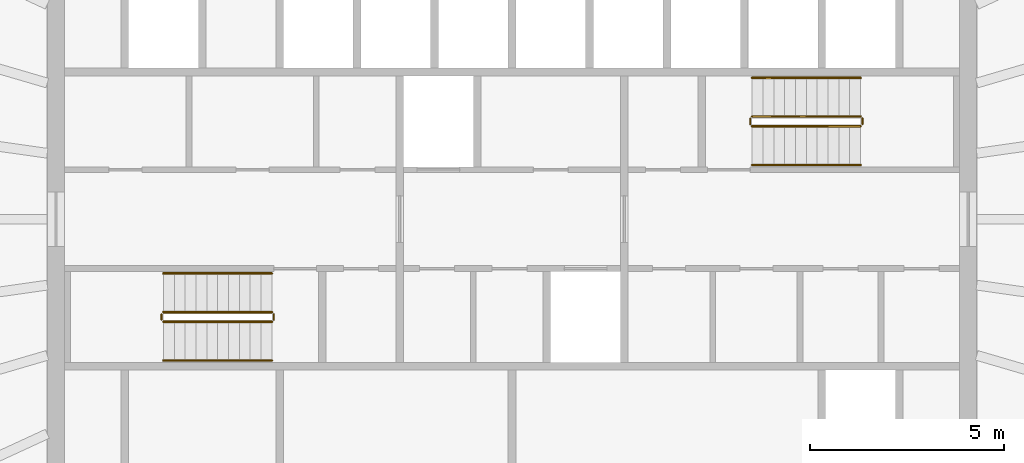
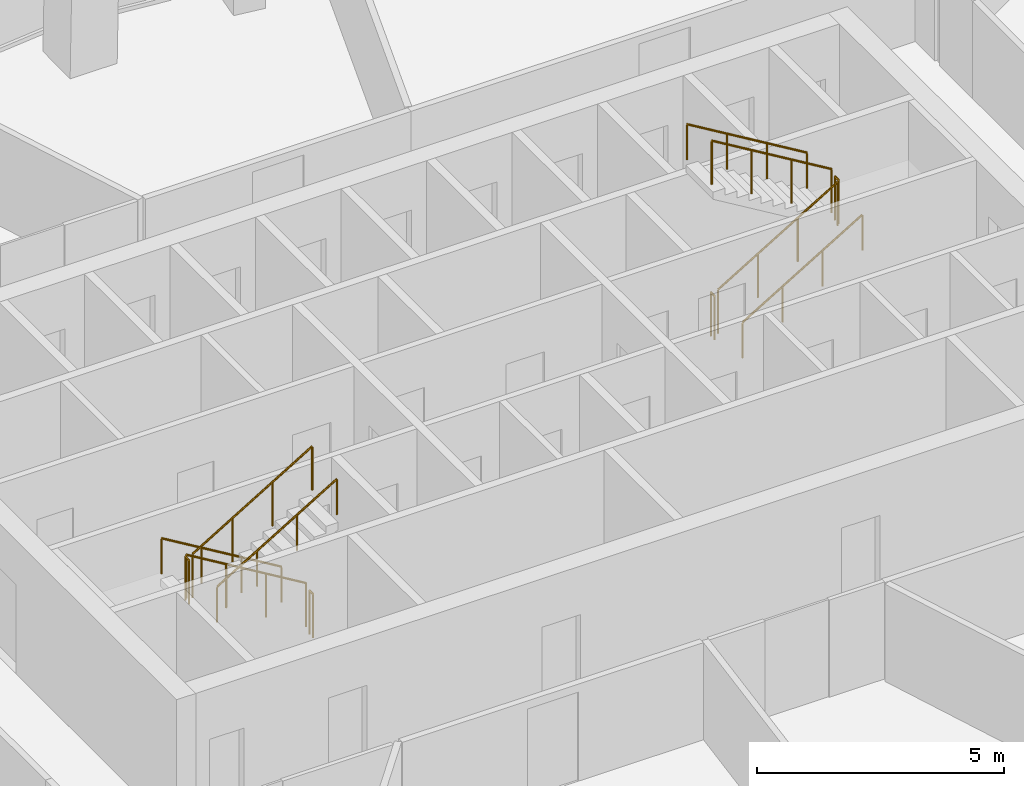
# One storey, part 11 of 11: 12 railings.
"""IFC4 building model written with IfcOpenShell, lengths in metres."""

from ifc_helpers import new_model, si_unit, direction, frame, origin, origin_2d, place, context, subcontext, project, spatial, circle, extrude, material, type_object, element, save


model = new_model("IFC4")

# Units and contexts
model_context = context("Model", 3, precision=1e-05, world=origin(), true_north=direction((0.0, 1.0)))
body_context = subcontext(model_context, "Body", "Model", "MODEL_VIEW")
ifc_project = project(units=[si_unit("LENGTHUNIT", "METRE"), si_unit("AREAUNIT", "SQUARE_METRE"), si_unit("VOLUMEUNIT", "CUBIC_METRE"), si_unit("PLANEANGLEUNIT", "RADIAN"), si_unit("MASSUNIT", "GRAM", prefix="KILO")], contexts=[model_context])

# Site, building, storey
site_placement = place(None, origin())
site = spatial("IfcSite", under=ifc_project, at=site_placement, CompositionType="ELEMENT")
building_placement = place(site_placement, origin())
building = spatial("IfcBuilding", under=site, at=building_placement, Name="Siaravel Broadcast Tower", CompositionType="ELEMENT")
storey_placement = place(building_placement, frame((0.0, 0.0, 197.800048828125)))
storey = spatial("IfcBuildingStorey", under=building, at=storey_placement, Name="L48", CompositionType="ELEMENT", Elevation=197.800048828125)

# Railings
ifc_material = material(Name="Stainless steel 316L", Category="steel")
railing_type_1 = type_object("IfcRailingType", Name="Stair guard 1100", PredefinedType="GUARDRAIL", material=ifc_material)
railing_1_placement = place(storey_placement, frame((-6.199951171875, -2.39990234375, 0.168212890625)))
element("IfcRailing", 1, at=railing_1_placement, inside=storey, type_object=railing_type_1, Name="L48 ST-1 stair guard 1", PredefinedType="GUARDRAIL", context=body_context, shape_type="SweptSolid", body=[
    extrude(circle(Radius=0.02392578125, at=origin_2d()), frame((0.0, 0.0, 1.076171875), z_axis=(-0.857275203, 0.0, 0.514858453), x_axis=(0.0, -1.0, 0.0)), (0.0, 0.0, 1.0), 3.26611328125),
    extrude(circle(Radius=0.02099609375, at=origin_2d()), origin(), (0.0, 0.0, 1.0), 1.052001953125),
    extrude(circle(Radius=0.02099609375, at=origin_2d()), frame((-0.933349609375, 0.0, 0.560546875)), (0.0, 0.0, 1.0), 1.052001953125),
    extrude(circle(Radius=0.02099609375, at=origin_2d()), frame((-1.86669921875, 0.0, 1.12109375)), (0.0, 0.0, 1.0), 1.052001953125),
    extrude(circle(Radius=0.02099609375, at=origin_2d()), frame((-2.800048828125, 0.0, 1.681640625)), (0.0, 0.0, 1.0), 1.052001953125),
])
railing_2_placement = place(storey_placement, frame((-9.050048828125, -2.449951171875, 1.849853515625)))
element("IfcRailing", 2, at=railing_2_placement, inside=storey, type_object=railing_type_1, Name="L48 ST-1 stair guard 2", PredefinedType="GUARDRAIL", context=body_context, shape_type="SweptSolid", body=[
    extrude(circle(Radius=0.02392578125, at=origin_2d()), frame((0.0, 0.0, 1.076171875), z_axis=(0.0, -1.0, 0.0), x_axis=(1.0, 0.0, 0.0)), (0.0, 0.0, 1.0), 0.150146484375),
    extrude(circle(Radius=0.02099609375, at=origin_2d()), origin(), (0.0, 0.0, 1.0), 1.052001953125),
    extrude(circle(Radius=0.02099609375, at=origin_2d()), frame((0.0, -0.150146484375, 0.0)), (0.0, 0.0, 1.0), 1.052001953125),
])
railing_3_placement = place(storey_placement, frame((-9.0, -2.64990234375, 2.01806640625)))
element("IfcRailing", 3, at=railing_3_placement, inside=storey, type_object=railing_type_1, Name="L48 ST-1 stair guard 3", PredefinedType="GUARDRAIL", context=body_context, shape_type="SweptSolid", body=[
    extrude(circle(Radius=0.02392578125, at=origin_2d()), frame((0.0, 0.0, 1.076171875), z_axis=(0.857242211, 0.0, 0.514913383), x_axis=(0.0, 1.0, 0.0)), (0.0, 0.0, 1.0), 3.266357421875),
    extrude(circle(Radius=0.02099609375, at=origin_2d()), origin(), (0.0, 0.0, 1.0), 1.052001953125),
    extrude(circle(Radius=0.02099609375, at=origin_2d()), frame((0.933349609375, 0.0, 0.560546875)), (0.0, 0.0, 1.0), 1.052001953125),
    extrude(circle(Radius=0.02099609375, at=origin_2d()), frame((1.86669921875, 0.0, 1.121337890625)), (0.0, 0.0, 1.0), 1.052001953125),
    extrude(circle(Radius=0.02099609375, at=origin_2d()), frame((2.800048828125, 0.0, 1.681884765625)), (0.0, 0.0, 1.0), 1.052001953125),
])
railing_4_placement = place(storey_placement, frame((-6.14990234375, -2.449951171875, 0.0)))
element("IfcRailing", 4, at=railing_4_placement, inside=storey, type_object=railing_type_1, Name="L48 ST-1 stair guard 4", PredefinedType="GUARDRAIL", context=body_context, shape_type="SweptSolid", body=[
    extrude(circle(Radius=0.02392578125, at=origin_2d()), frame((0.0, 0.0, 1.076171875), z_axis=(0.0, -1.0, 0.0), x_axis=(1.0, 0.0, 0.0)), (0.0, 0.0, 1.0), 0.150146484375),
    extrude(circle(Radius=0.02099609375, at=origin_2d()), origin(), (0.0, 0.0, 1.0), 1.052001953125),
    extrude(circle(Radius=0.02099609375, at=origin_2d()), frame((0.0, -0.150146484375, 0.0)), (0.0, 0.0, 1.0), 1.052001953125),
])
railing_5_placement = place(storey_placement, frame((6.199951171875, 2.39990234375, 0.168212890625)))
element("IfcRailing", 5, at=railing_5_placement, inside=storey, type_object=railing_type_1, Name="L48 ST-2 stair guard 1", PredefinedType="GUARDRAIL", context=body_context, shape_type="SweptSolid", body=[
    extrude(circle(Radius=0.02392578125, at=origin_2d()), frame((0.0, 0.0, 1.076171875), z_axis=(0.857275203, 0.0, 0.514858453), x_axis=(0.0, 1.0, 0.0)), (0.0, 0.0, 1.0), 3.26611328125),
    extrude(circle(Radius=0.02099609375, at=origin_2d()), origin(), (0.0, 0.0, 1.0), 1.052001953125),
    extrude(circle(Radius=0.02099609375, at=origin_2d()), frame((0.933349609375, 0.0, 0.560546875)), (0.0, 0.0, 1.0), 1.052001953125),
    extrude(circle(Radius=0.02099609375, at=origin_2d()), frame((1.86669921875, 0.0, 1.12109375)), (0.0, 0.0, 1.0), 1.052001953125),
    extrude(circle(Radius=0.02099609375, at=origin_2d()), frame((2.800048828125, 0.0, 1.681640625)), (0.0, 0.0, 1.0), 1.052001953125),
])
railing_6_placement = place(storey_placement, frame((9.050048828125, 2.449951171875, 1.849853515625)))
element("IfcRailing", 6, at=railing_6_placement, inside=storey, type_object=railing_type_1, Name="L48 ST-2 stair guard 2", PredefinedType="GUARDRAIL", context=body_context, shape_type="SweptSolid", body=[
    extrude(circle(Radius=0.02392578125, at=origin_2d()), frame((0.0, 0.0, 1.076171875), z_axis=(0.0, 1.0, 0.0), x_axis=(-1.0, 0.0, 0.0)), (0.0, 0.0, 1.0), 0.150146484375),
    extrude(circle(Radius=0.02099609375, at=origin_2d()), origin(), (0.0, 0.0, 1.0), 1.052001953125),
    extrude(circle(Radius=0.02099609375, at=origin_2d()), frame((0.0, 0.150146484375, 0.0)), (0.0, 0.0, 1.0), 1.052001953125),
])
railing_7_placement = place(storey_placement, frame((9.0, 2.64990234375, 2.01806640625)))
element("IfcRailing", 7, at=railing_7_placement, inside=storey, type_object=railing_type_1, Name="L48 ST-2 stair guard 3", PredefinedType="GUARDRAIL", context=body_context, shape_type="SweptSolid", body=[
    extrude(circle(Radius=0.02392578125, at=origin_2d()), frame((0.0, 0.0, 1.076171875), z_axis=(-0.857242211, 0.0, 0.514913383), x_axis=(0.0, -1.0, 0.0)), (0.0, 0.0, 1.0), 3.266357421875),
    extrude(circle(Radius=0.02099609375, at=origin_2d()), origin(), (0.0, 0.0, 1.0), 1.052001953125),
    extrude(circle(Radius=0.02099609375, at=origin_2d()), frame((-0.933349609375, 0.0, 0.560546875)), (0.0, 0.0, 1.0), 1.052001953125),
    extrude(circle(Radius=0.02099609375, at=origin_2d()), frame((-1.86669921875, 0.0, 1.121337890625)), (0.0, 0.0, 1.0), 1.052001953125),
    extrude(circle(Radius=0.02099609375, at=origin_2d()), frame((-2.800048828125, 0.0, 1.681884765625)), (0.0, 0.0, 1.0), 1.052001953125),
])
railing_8_placement = place(storey_placement, frame((6.14990234375, 2.449951171875, 0.0)))
element("IfcRailing", 8, at=railing_8_placement, inside=storey, type_object=railing_type_1, Name="L48 ST-2 stair guard 4", PredefinedType="GUARDRAIL", context=body_context, shape_type="SweptSolid", body=[
    extrude(circle(Radius=0.02392578125, at=origin_2d()), frame((0.0, 0.0, 1.076171875), z_axis=(0.0, 1.0, 0.0), x_axis=(-1.0, 0.0, 0.0)), (0.0, 0.0, 1.0), 0.150146484375),
    extrude(circle(Radius=0.02099609375, at=origin_2d()), origin(), (0.0, 0.0, 1.0), 1.052001953125),
    extrude(circle(Radius=0.02099609375, at=origin_2d()), frame((0.0, 0.150146484375, 0.0)), (0.0, 0.0, 1.0), 1.052001953125),
])
railing_type_2 = type_object("IfcRailingType", Name="Stair handrail 900", PredefinedType="HANDRAIL", material=ifc_material)
railing_9_placement = place(storey_placement, frame((-6.199951171875, -1.39990234375, 0.168212890625)))
element("IfcRailing", 9, at=railing_9_placement, inside=storey, type_object=railing_type_2, Name="L48 ST-1 stair handrail 1", PredefinedType="HANDRAIL", context=body_context, shape_type="SweptSolid", body=[
    extrude(circle(Radius=0.02392578125, at=origin_2d()), frame((0.0, 0.0, 0.8759765625), z_axis=(-0.857275203, 0.0, 0.514858453), x_axis=(0.0, -1.0, 0.0)), (0.0, 0.0, 1.0), 3.26611328125),
    extrude(circle(Radius=0.02099609375, at=origin_2d()), origin(), (0.0, 0.0, 1.0), 0.851806640625),
    extrude(circle(Radius=0.02099609375, at=origin_2d()), frame((-0.933349609375, 0.0, 0.560546875)), (0.0, 0.0, 1.0), 0.851806640625),
    extrude(circle(Radius=0.02099609375, at=origin_2d()), frame((-1.86669921875, 0.0, 1.12109375)), (0.0, 0.0, 1.0), 0.851806640625),
    extrude(circle(Radius=0.02099609375, at=origin_2d()), frame((-2.800048828125, 0.0, 1.681640625)), (0.0, 0.0, 1.0), 0.851806640625),
])
railing_10_placement = place(storey_placement, frame((-9.0, -3.64990234375, 2.01806640625)))
element("IfcRailing", 10, at=railing_10_placement, inside=storey, type_object=railing_type_2, Name="L48 ST-1 stair handrail 2", PredefinedType="HANDRAIL", context=body_context, shape_type="SweptSolid", body=[
    extrude(circle(Radius=0.02392578125, at=origin_2d()), frame((0.0, 0.0, 0.8759765625), z_axis=(0.857242211, 0.0, 0.514913383), x_axis=(0.0, 1.0, 0.0)), (0.0, 0.0, 1.0), 3.266357421875),
    extrude(circle(Radius=0.02099609375, at=origin_2d()), origin(), (0.0, 0.0, 1.0), 0.851806640625),
    extrude(circle(Radius=0.02099609375, at=origin_2d()), frame((0.933349609375, 0.0, 0.560546875)), (0.0, 0.0, 1.0), 0.851806640625),
    extrude(circle(Radius=0.02099609375, at=origin_2d()), frame((1.86669921875, 0.0, 1.121337890625)), (0.0, 0.0, 1.0), 0.851806640625),
    extrude(circle(Radius=0.02099609375, at=origin_2d()), frame((2.800048828125, 0.0, 1.681884765625)), (0.0, 0.0, 1.0), 0.851806640625),
])
railing_11_placement = place(storey_placement, frame((6.199951171875, 1.39990234375, 0.168212890625)))
element("IfcRailing", 11, at=railing_11_placement, inside=storey, type_object=railing_type_2, Name="L48 ST-2 stair handrail 1", PredefinedType="HANDRAIL", context=body_context, shape_type="SweptSolid", body=[
    extrude(circle(Radius=0.02392578125, at=origin_2d()), frame((0.0, 0.0, 0.8759765625), z_axis=(0.857275203, 0.0, 0.514858453), x_axis=(0.0, 1.0, 0.0)), (0.0, 0.0, 1.0), 3.26611328125),
    extrude(circle(Radius=0.02099609375, at=origin_2d()), origin(), (0.0, 0.0, 1.0), 0.851806640625),
    extrude(circle(Radius=0.02099609375, at=origin_2d()), frame((0.933349609375, 0.0, 0.560546875)), (0.0, 0.0, 1.0), 0.851806640625),
    extrude(circle(Radius=0.02099609375, at=origin_2d()), frame((1.86669921875, 0.0, 1.12109375)), (0.0, 0.0, 1.0), 0.851806640625),
    extrude(circle(Radius=0.02099609375, at=origin_2d()), frame((2.800048828125, 0.0, 1.681640625)), (0.0, 0.0, 1.0), 0.851806640625),
])
railing_12_placement = place(storey_placement, frame((9.0, 3.64990234375, 2.01806640625)))
element("IfcRailing", 12, at=railing_12_placement, inside=storey, type_object=railing_type_2, Name="L48 ST-2 stair handrail 2", PredefinedType="HANDRAIL", context=body_context, shape_type="SweptSolid", body=[
    extrude(circle(Radius=0.02392578125, at=origin_2d()), frame((0.0, 0.0, 0.8759765625), z_axis=(-0.857242211, 0.0, 0.514913383), x_axis=(0.0, -1.0, 0.0)), (0.0, 0.0, 1.0), 3.266357421875),
    extrude(circle(Radius=0.02099609375, at=origin_2d()), origin(), (0.0, 0.0, 1.0), 0.851806640625),
    extrude(circle(Radius=0.02099609375, at=origin_2d()), frame((-0.933349609375, 0.0, 0.560546875)), (0.0, 0.0, 1.0), 0.851806640625),
    extrude(circle(Radius=0.02099609375, at=origin_2d()), frame((-1.86669921875, 0.0, 1.121337890625)), (0.0, 0.0, 1.0), 0.851806640625),
    extrude(circle(Radius=0.02099609375, at=origin_2d()), frame((-2.800048828125, 0.0, 1.681884765625)), (0.0, 0.0, 1.0), 0.851806640625),
])

save(model, "model.ifc")
